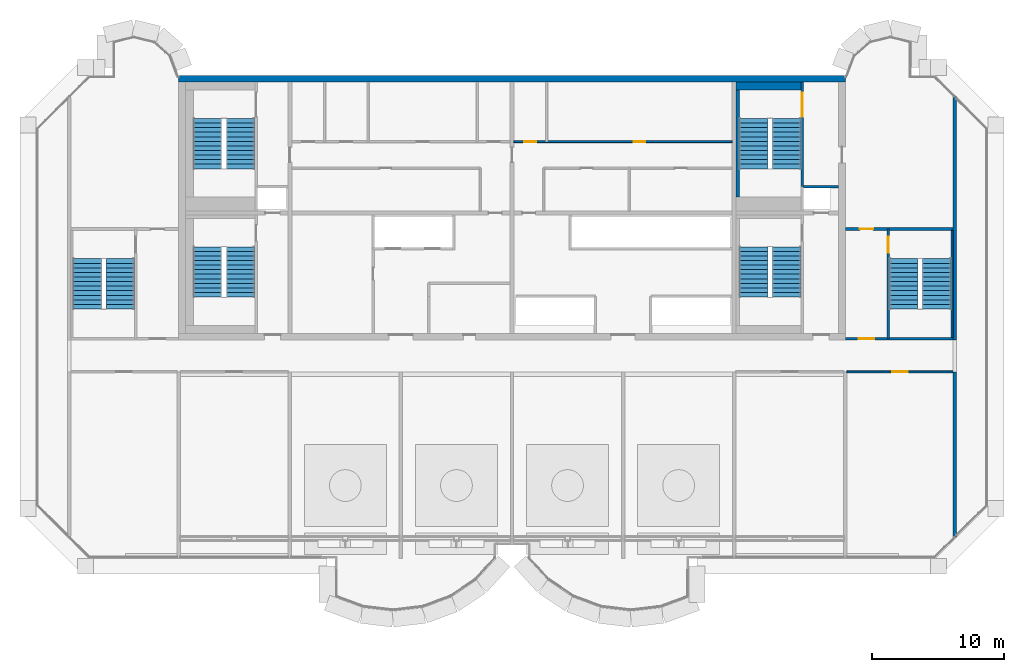
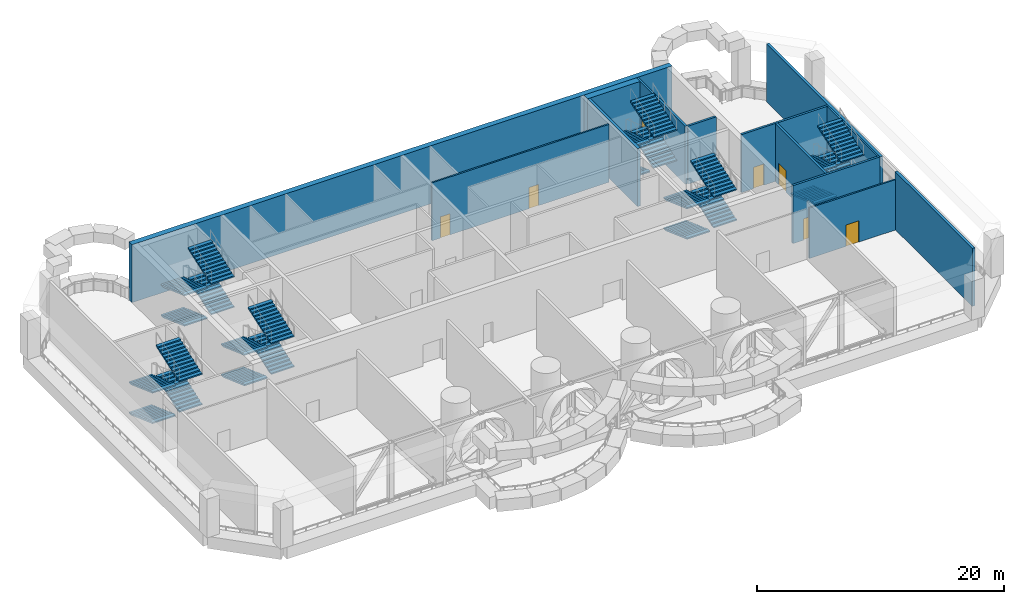
# One storey, part 5 of 15: 24 stair flights, 13 walls, 7 doors, 7 openings, 6 elements without a shape of their own.
"""IFC4 building model written with IfcOpenShell, lengths in metres."""

from ifc_helpers import new_model, si_unit, direction, frame, frame_2d, origin, place, context, subcontext, project, spatial, polyline, rectangle, outline, extrude, source, transform, mapped, material, layer, layer_set, type_object, element, fill, aggregate, save


model = new_model("IFC4")

# Units and contexts
model_context = context("Model", 3, precision=1e-05, world=origin(), true_north=direction((0.0, 1.0)))
body_context = subcontext(model_context, "Body", "Model", "MODEL_VIEW")
ifc_project = project(units=[si_unit("LENGTHUNIT", "METRE"), si_unit("AREAUNIT", "SQUARE_METRE"), si_unit("VOLUMEUNIT", "CUBIC_METRE"), si_unit("PLANEANGLEUNIT", "RADIAN"), si_unit("MASSUNIT", "GRAM", prefix="KILO")], contexts=[model_context])

# Site, building, storey
site_placement = place(None, origin())
site = spatial("IfcSite", under=ifc_project, at=site_placement, CompositionType="ELEMENT")
building_placement = place(site_placement, origin())
building = spatial("IfcBuilding", under=site, at=building_placement, Name="Vanashikhar Sky Hotel", CompositionType="ELEMENT")
storey_placement = place(building_placement, frame((0.0, 0.0, 317.699951171875)))
storey = spatial("IfcBuildingStorey", under=building, at=storey_placement, Name="L76", CompositionType="ELEMENT", Elevation=317.699951171875)

# Walls
ifc_material_1 = material(Name="Concrete M50", Category="concrete")
ifc_layer_1 = layer(ifc_material_1, 0.5)
ifc_layer_set_1 = layer_set([ifc_layer_1], Name="RC core shell wall 500 Concrete M50")
wall_type_1 = type_object("IfcWallType", Name="RC core shell wall 500 Concrete M50", PredefinedType="SHEAR", material=ifc_layer_set_1)
shared_shape_1 = source(origin(), body_context, "Body", "SweptSolid", [
    extrude(rectangle(XDim=50.400146484375, YDim=0.5, at=frame_2d((25.2001953125, 0.0))), origin(), (0.0, 0.0, 1.0), 5.719970703125),
])
wall_1_placement = place(storey_placement, frame((25.199951171875, 41.75, 0.0), z_axis=(0.0, 0.0, 1.0), x_axis=(1.0, 0.0, 0.0)))
element("IfcWall", 1, at=wall_1_placement, inside=storey, type_object=wall_type_1, Name="KW-L76-KN", PredefinedType="SHEAR", context=body_context, shape_type="MappedRepresentation", body=[
    mapped(shared_shape_1, transform((0.0, 0.0, 0.0), scale=1.0)),
])
ifc_layer_2 = layer(ifc_material_1, 0.25)
ifc_layer_set_2 = layer_set([ifc_layer_2], Name="RC shear wall 250 Concrete M50")
wall_type_2 = type_object("IfcWallType", Name="RC shear wall 250 Concrete M50", PredefinedType="SHEAR", material=ifc_layer_set_2)
shared_shape_2 = source(origin(), body_context, "Body", "SweptSolid", [
    extrude(rectangle(XDim=12.5, YDim=0.25, at=frame_2d((6.25, 0.0))), origin(), (0.0, 0.0, 1.0), 5.719970703125),
])
wall_2_placement = place(storey_placement, frame((83.875, 7.10009765625, 0.0), z_axis=(0.0, 0.0, 1.0), x_axis=(0.0, 1.0, 0.0)))
element("IfcWall", 2, at=wall_2_placement, inside=storey, type_object=wall_type_2, Name="CW-L76-XW11-1", PredefinedType="SHEAR", context=body_context, shape_type="MappedRepresentation", body=[
    mapped(shared_shape_2, transform((0.0, 0.0, 0.0), scale=1.0)),
])
shared_shape_3 = source(origin(), body_context, "Body", "SweptSolid", [
    extrude(rectangle(XDim=18.39990234375, YDim=0.25, at=frame_2d((9.199951171875, 0.0))), origin(), (0.0, 0.0, 1.0), 5.719970703125),
])
wall_3_placement = place(storey_placement, frame((83.875, 22.0, 0.0), z_axis=(0.0, 0.0, 1.0), x_axis=(0.0, 1.0, 0.0)))
element("IfcWall", 3, at=wall_3_placement, inside=storey, type_object=wall_type_2, Name="CW-L76-XW11-2", PredefinedType="SHEAR", context=body_context, shape_type="MappedRepresentation", body=[
    mapped(shared_shape_3, transform((0.0, 0.0, 0.0), scale=1.0)),
])

# Wall, opening, door
ifc_layer_3 = layer(ifc_material_1, 0.199951171875)
ifc_layer_set_3 = layer_set([ifc_layer_3], Name="Stair wall 200")
wall_type_3 = type_object("IfcWallType", Name="Stair wall 200", PredefinedType="SOLIDWALL", material=ifc_layer_set_3)
shared_shape_4 = source(origin(), body_context, "Body", "SweptSolid", [
    extrude(rectangle(XDim=8.2998046875, YDim=0.199951171875, at=frame_2d((4.14990234375, 0.0))), origin(), (0.0, 0.0, 1.0), 5.719970703125),
])
wall_4_placement = place(storey_placement, frame((78.85009765625, 22.10009765625, 0.0), z_axis=(0.0, 0.0, 1.0), x_axis=(0.0, 1.0, 0.0)))
wall_4 = element("IfcWall", 4, at=wall_4_placement, inside=storey, type_object=wall_type_3, Name="Stair wall 200", PredefinedType="SOLIDWALL", context=body_context, shape_type="MappedRepresentation", body=[
    mapped(shared_shape_4, transform((0.0, 0.0, 0.0), scale=1.0)),
])
shared_shape_5 = source(origin(), body_context, "Body", "SweptSolid", [
    extrude(rectangle(XDim=1.199951171875, YDim=2.10009765625, at=frame_2d((0.60009765625, 1.050048828125))), frame((0.0, 0.10986328125, 0.0), z_axis=(0.0, -1.0, 0.0), x_axis=(1.0, 0.0, 0.0)), (0.0, 0.0, 1.0), 0.219970703125),
])
opening_1_placement = place(wall_4_placement, frame((6.5, 0.0, 0.0)))
opening_1 = element("IfcOpeningElement", 5, at=opening_1_placement, cuts=wall_4, Name="Opening DC-1", PredefinedType="OPENING", context=body_context, shape_type="MappedRepresentation", body=[
    mapped(shared_shape_5, transform((0.0, 0.0, 0.0), scale=1.0)),
])
ifc_material_2 = material(Name="Steel", Category="steel")
door_type_1 = type_object("IfcDoorType", Name="Stair door 1200 FD120", OperationType="NOTDEFINED", PredefinedType="DOOR", material=ifc_material_2)
shared_shape_6 = source(origin(), body_context, "Body", "SweptSolid", [
    extrude(rectangle(XDim=1.199951171875, YDim=2.10009765625, at=frame_2d((0.60009765625, 1.050048828125))), frame((0.0, 0.02490234375, 0.0), z_axis=(0.0, -1.0, 0.0), x_axis=(1.0, 0.0, 0.0)), (0.0, 0.0, 1.0), 0.050048828125),
])
door_1_placement = place(opening_1_placement, origin())
door_1 = element("IfcDoor", 6, at=door_1_placement, inside=storey, type_object=door_type_1, Name="Stair door 1200 FD120", OperationType="SINGLE_SWING_RIGHT", OverallHeight=2.10009765625, OverallWidth=1.199951171875, PredefinedType="DOOR", context=body_context, shape_type="MappedRepresentation", body=[
    mapped(shared_shape_6, transform((0.0, 0.0, 0.0), scale=1.0)),
])
fill(opening_1, door_1)

# Wall, openings, doors
ifc_material_3 = material(Name="Gypsum board partition")
ifc_layer_4 = layer(ifc_material_3, 0.14990234375)
ifc_layer_set_4 = layer_set([ifc_layer_4], Name="Service partition 150")
wall_type_4 = type_object("IfcWallType", Name="Service partition 150", PredefinedType="PARTITIONING", material=ifc_layer_set_4)
shared_shape_7 = source(origin(), body_context, "Body", "SweptSolid", [
    extrude(rectangle(XDim=16.5, YDim=0.14990234375, at=frame_2d((8.25, 0.0))), origin(), (0.0, 0.0, 1.0), 5.719970703125),
])
wall_5_placement = place(storey_placement, frame((67.050048828125, 37.0, 0.0), z_axis=(0.0, 0.0, 1.0), x_axis=(-1.0, 0.0, 0.0)))
wall_5 = element("IfcWall", 7, at=wall_5_placement, inside=storey, type_object=wall_type_4, Name="Service partition 150", PredefinedType="PARTITIONING", context=body_context, shape_type="MappedRepresentation", body=[
    mapped(shared_shape_7, transform((0.0, 0.0, 0.0), scale=1.0)),
])
shared_shape_8 = source(origin(), body_context, "Body", "SweptSolid", [
    extrude(rectangle(XDim=0.89990234375, YDim=2.10009765625, at=frame_2d((0.449951171875, 1.050048828125))), frame((0.0, 0.0849609375, 0.0), z_axis=(0.0, -1.0, 0.0), x_axis=(1.0, 0.0, 0.0)), (0.0, 0.0, 1.0), 0.169921875),
])
opening_2_placement = place(wall_5_placement, frame((6.56298828125, 0.0, 0.0)))
opening_2 = element("IfcOpeningElement", 8, at=opening_2_placement, cuts=wall_5, Name="Opening DC-4-A", PredefinedType="OPENING", context=body_context, shape_type="MappedRepresentation", body=[
    mapped(shared_shape_8, transform((0.0, 0.0, 0.0), scale=1.0)),
])
opening_3_placement = place(wall_5_placement, frame((14.81298828125, 0.0, 0.0)))
opening_3 = element("IfcOpeningElement", 9, at=opening_3_placement, cuts=wall_5, Name="Opening DC-4-A", PredefinedType="OPENING", context=body_context, shape_type="MappedRepresentation", body=[
    mapped(shared_shape_8, transform((0.0, 0.0, 0.0), scale=1.0)),
])
door_type_2 = type_object("IfcDoorType", Name="Service door 900 FD60", OperationType="NOTDEFINED", PredefinedType="DOOR", material=ifc_material_2)
shared_shape_9 = source(origin(), body_context, "Body", "SweptSolid", [
    extrude(rectangle(XDim=0.89990234375, YDim=2.10009765625, at=frame_2d((0.449951171875, 1.050048828125))), frame((0.0, 0.02490234375, 0.0), z_axis=(0.0, -1.0, 0.0), x_axis=(1.0, 0.0, 0.0)), (0.0, 0.0, 1.0), 0.050048828125),
])
door_2_placement = place(opening_2_placement, origin())
door_2 = element("IfcDoor", 10, at=door_2_placement, inside=storey, type_object=door_type_2, Name="Service door 900 FD60", OperationType="SINGLE_SWING_RIGHT", OverallHeight=2.10009765625, OverallWidth=0.89990234375, PredefinedType="DOOR", context=body_context, shape_type="MappedRepresentation", body=[
    mapped(shared_shape_9, transform((0.0, 0.0, 0.0), scale=1.0)),
])
fill(opening_2, door_2)
door_3_placement = place(opening_3_placement, origin())
door_3 = element("IfcDoor", 11, at=door_3_placement, inside=storey, type_object=door_type_2, Name="Service door 900 FD60", OperationType="SINGLE_SWING_LEFT", OverallHeight=2.10009765625, OverallWidth=0.89990234375, PredefinedType="DOOR", context=body_context, shape_type="MappedRepresentation", body=[
    mapped(shared_shape_9, transform((0.0, 0.0, 0.0), scale=1.0)),
])
fill(opening_3, door_3)

# Wall, opening, door
shared_shape_10 = source(origin(), body_context, "Body", "SweptSolid", [
    extrude(rectangle(XDim=7.89990234375, YDim=0.199951171875, at=frame_2d((3.949951171875, 0.0))), origin(), (0.0, 0.0, 1.0), 5.719970703125),
])
wall_6_placement = place(storey_placement, frame((72.35009765625, 33.60009765625, 0.0), z_axis=(0.0, 0.0, 1.0), x_axis=(0.0, 1.0, 0.0)))
wall_6 = element("IfcWall", 12, at=wall_6_placement, inside=storey, type_object=wall_type_3, Name="Stair wall 200", PredefinedType="SOLIDWALL", context=body_context, shape_type="MappedRepresentation", body=[
    mapped(shared_shape_10, transform((0.0, 0.0, 0.0), scale=1.0)),
])
shared_shape_11 = source(origin(), body_context, "Body", "SweptSolid", [
    extrude(rectangle(XDim=1.800048828125, YDim=2.10009765625, at=frame_2d((0.89990234375, 1.050048828125))), frame((0.0, 0.10986328125, 0.0), z_axis=(0.0, -1.0, 0.0), x_axis=(1.0, 0.0, 0.0)), (0.0, 0.0, 1.0), 0.219970703125),
])
opening_4_placement = place(wall_6_placement, frame((5.300048828125, 0.0, 0.0)))
opening_4 = element("IfcOpeningElement", 13, at=opening_4_placement, cuts=wall_6, Name="Opening DC-1-A", PredefinedType="OPENING", context=body_context, shape_type="MappedRepresentation", body=[
    mapped(shared_shape_11, transform((0.0, 0.0, 0.0), scale=1.0)),
])
door_type_3 = type_object("IfcDoorType", Name="Stair door 1800 FD120", OperationType="NOTDEFINED", PredefinedType="DOOR", material=ifc_material_2)
shared_shape_12 = source(origin(), body_context, "Body", "SweptSolid", [
    extrude(rectangle(XDim=1.800048828125, YDim=2.10009765625, at=frame_2d((0.89990234375, 1.050048828125))), frame((0.0, 0.02490234375, 0.0), z_axis=(0.0, -1.0, 0.0), x_axis=(1.0, 0.0, 0.0)), (0.0, 0.0, 1.0), 0.050048828125),
])
door_4_placement = place(opening_4_placement, origin())
door_4 = element("IfcDoor", 14, at=door_4_placement, inside=storey, type_object=door_type_3, Name="Stair door 1800 FD120", OperationType="SINGLE_SWING_LEFT", OverallHeight=2.10009765625, OverallWidth=1.800048828125, PredefinedType="DOOR", context=body_context, shape_type="MappedRepresentation", body=[
    mapped(shared_shape_12, transform((0.0, 0.0, 0.0), scale=1.0)),
])
fill(opening_4, door_4)

# Wall
ifc_material_4 = material(Name="Concrete M40", Category="concrete")
ifc_layer_5 = layer(ifc_material_4, 0.199951171875)
ifc_layer_set_5 = layer_set([ifc_layer_5], Name="Shaft wall 200")
wall_type_5 = type_object("IfcWallType", Name="Shaft wall 200", PredefinedType="SOLIDWALL", material=ifc_layer_set_5)
shared_shape_13 = source(origin(), body_context, "Body", "SweptSolid", [
    extrude(rectangle(XDim=2.650146484375, YDim=0.199951171875, at=frame_2d((1.3251953125, 0.0))), origin(), (0.0, 0.0, 1.0), 5.719970703125),
])
wall_7_placement = place(storey_placement, frame((72.449951171875, 33.60009765625, 0.0), z_axis=(0.0, 0.0, 1.0), x_axis=(1.0, 0.0, 0.0)))
element("IfcWall", 15, at=wall_7_placement, inside=storey, type_object=wall_type_5, Name="Shaft wall 200", PredefinedType="SOLIDWALL", context=body_context, shape_type="MappedRepresentation", body=[
    mapped(shared_shape_13, transform((0.0, 0.0, 0.0), scale=1.0)),
])

# Wall, opening, door
shared_shape_14 = source(origin(), body_context, "Body", "SweptSolid", [
    extrude(rectangle(XDim=8.14990234375, YDim=0.199951171875, at=frame_2d((4.074951171875, 0.0))), origin(), (0.0, 0.0, 1.0), 5.719970703125),
])
wall_8_placement = place(storey_placement, frame((83.75, 22.10009765625, 0.0), z_axis=(0.0, 0.0, 1.0), x_axis=(-1.0, 0.0, 0.0)))
wall_8 = element("IfcWall", 16, at=wall_8_placement, inside=storey, type_object=wall_type_3, Name="Stair wall 200", PredefinedType="SOLIDWALL", context=body_context, shape_type="MappedRepresentation", body=[
    mapped(shared_shape_14, transform((0.0, 0.0, 0.0), scale=1.0)),
])
opening_5_placement = place(wall_8_placement, frame((5.949951171875, 0.0, 0.0)))
opening_5 = element("IfcOpeningElement", 17, at=opening_5_placement, cuts=wall_8, Name="Opening DC-2", PredefinedType="OPENING", context=body_context, shape_type="MappedRepresentation", body=[
    mapped(shared_shape_5, transform((0.0, 0.0, 0.0), scale=1.0)),
])
door_type_4 = type_object("IfcDoorType", Name="Firefighting lobby door 1200 FD120", OperationType="NOTDEFINED", PredefinedType="DOOR", material=ifc_material_2)
door_5_placement = place(opening_5_placement, origin())
door_5 = element("IfcDoor", 18, at=door_5_placement, inside=storey, type_object=door_type_4, Name="Firefighting lobby door 1200 FD120", OperationType="SINGLE_SWING_RIGHT", OverallHeight=2.10009765625, OverallWidth=1.199951171875, PredefinedType="DOOR", context=body_context, shape_type="MappedRepresentation", body=[
    mapped(shared_shape_6, transform((0.0, 0.0, 0.0), scale=1.0)),
])
fill(opening_5, door_5)

wall_9_placement = place(storey_placement, frame((83.75, 30.39990234375, 0.0), z_axis=(0.0, 0.0, 1.0), x_axis=(-1.0, 0.0, 0.0)))
wall_9 = element("IfcWall", 19, at=wall_9_placement, inside=storey, type_object=wall_type_3, Name="Stair wall 200", PredefinedType="SOLIDWALL", context=body_context, shape_type="MappedRepresentation", body=[
    mapped(shared_shape_14, transform((0.0, 0.0, 0.0), scale=1.0)),
])
shared_shape_15 = source(origin(), body_context, "Body", "SweptSolid", [
    extrude(rectangle(XDim=1.0, YDim=2.10009765625, at=frame_2d((0.5, 1.050048828125))), frame((0.0, 0.10986328125, 0.0), z_axis=(0.0, -1.0, 0.0), x_axis=(1.0, 0.0, 0.0)), (0.0, 0.0, 1.0), 0.219970703125),
])
opening_6_placement = place(wall_9_placement, frame((6.050048828125, 0.0, 0.0)))
opening_6 = element("IfcOpeningElement", 20, at=opening_6_placement, cuts=wall_9, Name="Opening DC-6", PredefinedType="OPENING", context=body_context, shape_type="MappedRepresentation", body=[
    mapped(shared_shape_15, transform((0.0, 0.0, 0.0), scale=1.0)),
])
door_type_5 = type_object("IfcDoorType", Name="Pocket door 1000 FD60", OperationType="NOTDEFINED", PredefinedType="DOOR", material=ifc_material_2)
shared_shape_16 = source(origin(), body_context, "Body", "SweptSolid", [
    extrude(rectangle(XDim=1.0, YDim=2.10009765625, at=frame_2d((0.5, 1.050048828125))), frame((0.0, 0.02490234375, 0.0), z_axis=(0.0, -1.0, 0.0), x_axis=(1.0, 0.0, 0.0)), (0.0, 0.0, 1.0), 0.050048828125),
])
door_6_placement = place(opening_6_placement, origin())
door_6 = element("IfcDoor", 21, at=door_6_placement, inside=storey, type_object=door_type_5, Name="Pocket door 1000 FD60", OperationType="SINGLE_SWING_RIGHT", OverallHeight=2.10009765625, OverallWidth=1.0, PredefinedType="DOOR", context=body_context, shape_type="MappedRepresentation", body=[
    mapped(shared_shape_16, transform((0.0, 0.0, 0.0), scale=1.0)),
])
fill(opening_6, door_6)

# Walls
ifc_layer_6 = layer(ifc_material_1, 0.60009765625)
ifc_layer_set_6 = layer_set([ifc_layer_6], Name="Stair infill wall 600")
wall_type_6 = type_object("IfcWallType", Name="Stair infill wall 600", PredefinedType="SOLIDWALL", material=ifc_layer_set_6)
shared_shape_17 = source(origin(), body_context, "Body", "SweptSolid", [
    extrude(rectangle(XDim=4.89990234375, YDim=0.60009765625, at=frame_2d((2.449951171875, 0.0))), origin(), (0.0, 0.0, 1.0), 5.719970703125),
])
wall_10_placement = place(storey_placement, frame((67.35009765625, 41.199951171875, 0.0), z_axis=(0.0, 0.0, 1.0), x_axis=(1.0, 0.0, 0.0)))
element("IfcWall", 22, at=wall_10_placement, inside=storey, type_object=wall_type_6, Name="Stair infill wall 600", PredefinedType="SOLIDWALL", context=body_context, shape_type="MappedRepresentation", body=[
    mapped(shared_shape_17, transform((0.0, 0.0, 0.0), scale=1.0)),
])
ifc_layer_7 = layer(ifc_material_1, 0.25)
ifc_layer_set_7 = layer_set([ifc_layer_7], Name="Stair infill wall 250")
wall_type_7 = type_object("IfcWallType", Name="Stair infill wall 250", PredefinedType="SOLIDWALL", material=ifc_layer_set_7)
shared_shape_18 = source(origin(), body_context, "Body", "SweptSolid", [
    extrude(rectangle(XDim=8.099853515625, YDim=0.25, at=frame_2d((4.0498046875, 0.0))), origin(), (0.0, 0.0, 1.0), 5.719970703125),
])
wall_11_placement = place(storey_placement, frame((67.47509765625, 32.800048828125, 0.0), z_axis=(0.0, 0.0, 1.0), x_axis=(0.0, 1.0, 0.0)))
element("IfcWall", 23, at=wall_11_placement, inside=storey, type_object=wall_type_7, Name="Stair infill wall 250", PredefinedType="SOLIDWALL", context=body_context, shape_type="MappedRepresentation", body=[
    mapped(shared_shape_18, transform((0.0, 0.0, 0.0), scale=1.0)),
])
ifc_layer_8 = layer(ifc_material_1, 0.14990234375)
ifc_layer_set_8 = layer_set([ifc_layer_8], Name="Stair infill wall 150")
wall_type_8 = type_object("IfcWallType", Name="Stair infill wall 150", PredefinedType="SOLIDWALL", material=ifc_layer_set_8)
shared_shape_19 = source(origin(), body_context, "Body", "SweptSolid", [
    extrude(rectangle(XDim=8.10009765625, YDim=0.14990234375, at=frame_2d((4.050048828125, 0.0))), origin(), (0.0, 0.0, 1.0), 5.719970703125),
])
wall_12_placement = place(storey_placement, frame((83.675048828125, 22.199951171875, 0.0), z_axis=(0.0, 0.0, 1.0), x_axis=(0.0, 1.0, 0.0)))
element("IfcWall", 24, at=wall_12_placement, inside=storey, type_object=wall_type_8, Name="Stair infill wall 150", PredefinedType="SOLIDWALL", context=body_context, shape_type="MappedRepresentation", body=[
    mapped(shared_shape_19, transform((0.0, 0.0, 0.0), scale=1.0)),
])

# Wall, opening, door
shared_shape_20 = source(origin(), body_context, "Body", "SweptSolid", [
    extrude(rectangle(XDim=8.02490234375, YDim=0.14990234375, at=frame_2d((4.012451171875, 0.0))), origin(), (0.0, 0.0, 1.0), 4.969970703125),
])
wall_13_placement = place(storey_placement, frame((75.72509765625, 19.60009765625, 0.0), z_axis=(0.0, 0.0, 1.0), x_axis=(1.0, 0.0, 0.0)))
wall_13 = element("IfcWall", 25, at=wall_13_placement, inside=storey, type_object=wall_type_4, Name="Service partition 150", PredefinedType="PARTITIONING", context=body_context, shape_type="MappedRepresentation", body=[
    mapped(shared_shape_20, transform((0.0, 0.0, 0.0), scale=1.0)),
])
shared_shape_21 = source(origin(), body_context, "Body", "SweptSolid", [
    extrude(rectangle(XDim=1.199951171875, YDim=2.10009765625, at=frame_2d((0.60009765625, 1.050048828125))), frame((0.0, 0.0849609375, 0.0), z_axis=(0.0, -1.0, 0.0), x_axis=(1.0, 0.0, 0.0)), (0.0, 0.0, 1.0), 0.169921875),
])
opening_7_placement = place(wall_13_placement, frame((3.412109375, 0.0, 0.0)))
opening_7 = element("IfcOpeningElement", 26, at=opening_7_placement, cuts=wall_13, Name="Opening DC-4-D", PredefinedType="OPENING", context=body_context, shape_type="MappedRepresentation", body=[
    mapped(shared_shape_21, transform((0.0, 0.0, 0.0), scale=1.0)),
])
door_type_6 = type_object("IfcDoorType", Name="Service door 1200 FD120", OperationType="NOTDEFINED", PredefinedType="DOOR", material=ifc_material_2)
door_7_placement = place(opening_7_placement, origin())
door_7 = element("IfcDoor", 27, at=door_7_placement, inside=storey, type_object=door_type_6, Name="Service door 1200 FD120", OperationType="SINGLE_SWING_LEFT", OverallHeight=2.10009765625, OverallWidth=1.199951171875, PredefinedType="DOOR", context=body_context, shape_type="MappedRepresentation", body=[
    mapped(shared_shape_6, transform((0.0, 0.0, 0.0), scale=1.0)),
])
fill(opening_7, door_7)

# Stair, stair flights
stair_type = type_object("IfcStairType", Name="Exit stair 2150", PredefinedType="DOUBLE_RETURN_STAIR", material=ifc_material_4)
stair_1_placement = place(storey_placement, origin())
stair_1 = element("IfcStair", 28, at=stair_1_placement, inside=storey, type_object=stair_type, Name="L76 Exit stair 1", PredefinedType="DOUBLE_RETURN_STAIR")
stair_flight_type = type_object("IfcStairFlightType", Name="Stair flight 2150", PredefinedType="STRAIGHT", material=ifc_material_4)
shared_shape_22 = source(origin(), body_context, "Body", "SweptSolid", [
    extrude(outline(polyline([(0.0, 0.0), (0.0, 0.125), (0.345458984375, 0.125), (0.345458984375, 0.25), (0.69091796875, 0.25), (0.69091796875, 0.375), (1.036376953125, 0.375), (1.036376953125, 0.5), (1.3818359375, 0.5), (1.3818359375, 0.625), (1.727294921875, 0.625), (1.727294921875, 0.75), (2.07275390625, 0.75), (2.07275390625, 0.875), (2.418212890625, 0.875), (2.418212890625, 1.0), (2.763671875, 1.0), (2.763671875, 1.125), (3.109130859375, 1.125), (3.109130859375, 1.25), (3.45458984375, 1.25), (3.45458984375, 1.375), (3.800048828125, 1.375), (3.800048828125, 1.5), (3.800048828125, 1.247314453125), (0.35302734375, 0.0), (0.0, 0.0)])), frame((0.0, 1.074951171875, 0.0), z_axis=(0.0, -1.0, 0.0), x_axis=(1.0, 0.0, 0.0)), (0.0, 0.0, 1.0), 2.14990234375),
])
stair_flight_1_placement = place(storey_placement, frame((27.375, 29.050048828125, 0.0), z_axis=(0.0, 0.0, 1.0), x_axis=(0.0, -1.0, 0.0)))
stair_flight_1 = element("IfcStairFlight", 29, at=stair_flight_1_placement, type_object=stair_flight_type, Name="ST-C1 flight 1", NumberOfRisers=12, NumberOfTreads=11, PredefinedType="STRAIGHT", RiserHeight=0.125, TreadLength=0.345454545, context=body_context, shape_type="MappedRepresentation", body=[
    mapped(shared_shape_22, transform((0.0, 0.0, 0.0), scale=1.0)),
])
stair_flight_2_placement = place(storey_placement, frame((29.875, 25.25, 1.5), z_axis=(0.0, 0.0, 1.0), x_axis=(0.0, 1.0, 0.0)))
stair_flight_2 = element("IfcStairFlight", 30, at=stair_flight_2_placement, type_object=stair_flight_type, Name="ST-C1 flight 2", NumberOfRisers=12, NumberOfTreads=11, PredefinedType="STRAIGHT", RiserHeight=0.125, TreadLength=0.345454545, context=body_context, shape_type="MappedRepresentation", body=[
    mapped(shared_shape_22, transform((0.0, 0.0, 0.0), scale=1.0)),
])
stair_flight_3_placement = place(storey_placement, frame((27.375, 29.050048828125, 3.0), z_axis=(0.0, 0.0, 1.0), x_axis=(0.0, -1.0, 0.0)))
stair_flight_3 = element("IfcStairFlight", 31, at=stair_flight_3_placement, type_object=stair_flight_type, Name="ST-C1 flight 3", NumberOfRisers=12, NumberOfTreads=11, PredefinedType="STRAIGHT", RiserHeight=0.125, TreadLength=0.345454545, context=body_context, shape_type="MappedRepresentation", body=[
    mapped(shared_shape_22, transform((0.0, 0.0, 0.0), scale=1.0)),
])
stair_flight_4_placement = place(storey_placement, frame((29.875, 25.25, 4.5), z_axis=(0.0, 0.0, 1.0), x_axis=(0.0, 1.0, 0.0)))
stair_flight_4 = element("IfcStairFlight", 32, at=stair_flight_4_placement, type_object=stair_flight_type, Name="ST-C1 flight 4", NumberOfRisers=12, NumberOfTreads=11, PredefinedType="STRAIGHT", RiserHeight=0.125, TreadLength=0.345454545, context=body_context, shape_type="MappedRepresentation", body=[
    mapped(shared_shape_22, transform((0.0, 0.0, 0.0), scale=1.0)),
])
aggregate(stair_1, [stair_flight_1, stair_flight_2, stair_flight_3, stair_flight_4])

stair_2_placement = place(storey_placement, origin())
stair_2 = element("IfcStair", 33, at=stair_2_placement, inside=storey, type_object=stair_type, Name="L76 Exit stair 2", PredefinedType="DOUBLE_RETURN_STAIR")
stair_flight_5_placement = place(storey_placement, frame((68.675048828125, 29.050048828125, 0.0), z_axis=(0.0, 0.0, 1.0), x_axis=(0.0, -1.0, 0.0)))
stair_flight_5 = element("IfcStairFlight", 34, at=stair_flight_5_placement, type_object=stair_flight_type, Name="ST-C2 flight 1", NumberOfRisers=12, NumberOfTreads=11, PredefinedType="STRAIGHT", RiserHeight=0.125, TreadLength=0.345454545, context=body_context, shape_type="MappedRepresentation", body=[
    mapped(shared_shape_22, transform((0.0, 0.0, 0.0), scale=1.0)),
])
stair_flight_6_placement = place(storey_placement, frame((71.175048828125, 25.25, 1.5), z_axis=(0.0, 0.0, 1.0), x_axis=(0.0, 1.0, 0.0)))
stair_flight_6 = element("IfcStairFlight", 35, at=stair_flight_6_placement, type_object=stair_flight_type, Name="ST-C2 flight 2", NumberOfRisers=12, NumberOfTreads=11, PredefinedType="STRAIGHT", RiserHeight=0.125, TreadLength=0.345454545, context=body_context, shape_type="MappedRepresentation", body=[
    mapped(shared_shape_22, transform((0.0, 0.0, 0.0), scale=1.0)),
])
stair_flight_7_placement = place(storey_placement, frame((68.675048828125, 29.050048828125, 3.0), z_axis=(0.0, 0.0, 1.0), x_axis=(0.0, -1.0, 0.0)))
stair_flight_7 = element("IfcStairFlight", 36, at=stair_flight_7_placement, type_object=stair_flight_type, Name="ST-C2 flight 3", NumberOfRisers=12, NumberOfTreads=11, PredefinedType="STRAIGHT", RiserHeight=0.125, TreadLength=0.345454545, context=body_context, shape_type="MappedRepresentation", body=[
    mapped(shared_shape_22, transform((0.0, 0.0, 0.0), scale=1.0)),
])
stair_flight_8_placement = place(storey_placement, frame((71.175048828125, 25.25, 4.5), z_axis=(0.0, 0.0, 1.0), x_axis=(0.0, 1.0, 0.0)))
stair_flight_8 = element("IfcStairFlight", 37, at=stair_flight_8_placement, type_object=stair_flight_type, Name="ST-C2 flight 4", NumberOfRisers=12, NumberOfTreads=11, PredefinedType="STRAIGHT", RiserHeight=0.125, TreadLength=0.345454545, context=body_context, shape_type="MappedRepresentation", body=[
    mapped(shared_shape_22, transform((0.0, 0.0, 0.0), scale=1.0)),
])
aggregate(stair_2, [stair_flight_5, stair_flight_6, stair_flight_7, stair_flight_8])

stair_3_placement = place(storey_placement, origin())
stair_3 = element("IfcStair", 38, at=stair_3_placement, inside=storey, type_object=stair_type, Name="L76 Exit stair 3", PredefinedType="DOUBLE_RETURN_STAIR")
stair_flight_9_placement = place(storey_placement, frame((18.27490234375, 28.14990234375, 0.0), z_axis=(0.0, 0.0, 1.0), x_axis=(0.0, -1.0, 0.0)))
stair_flight_9 = element("IfcStairFlight", 39, at=stair_flight_9_placement, type_object=stair_flight_type, Name="ST-W flight 1", NumberOfRisers=12, NumberOfTreads=11, PredefinedType="STRAIGHT", RiserHeight=0.125, TreadLength=0.345454545, context=body_context, shape_type="MappedRepresentation", body=[
    mapped(shared_shape_22, transform((0.0, 0.0, 0.0), scale=1.0)),
])
stair_flight_10_placement = place(storey_placement, frame((20.77490234375, 24.35009765625, 1.5), z_axis=(0.0, 0.0, 1.0), x_axis=(0.0, 1.0, 0.0)))
stair_flight_10 = element("IfcStairFlight", 40, at=stair_flight_10_placement, type_object=stair_flight_type, Name="ST-W flight 2", NumberOfRisers=12, NumberOfTreads=11, PredefinedType="STRAIGHT", RiserHeight=0.125, TreadLength=0.345454545, context=body_context, shape_type="MappedRepresentation", body=[
    mapped(shared_shape_22, transform((0.0, 0.0, 0.0), scale=1.0)),
])
stair_flight_11_placement = place(storey_placement, frame((18.27490234375, 28.14990234375, 3.0), z_axis=(0.0, 0.0, 1.0), x_axis=(0.0, -1.0, 0.0)))
stair_flight_11 = element("IfcStairFlight", 41, at=stair_flight_11_placement, type_object=stair_flight_type, Name="ST-W flight 3", NumberOfRisers=12, NumberOfTreads=11, PredefinedType="STRAIGHT", RiserHeight=0.125, TreadLength=0.345454545, context=body_context, shape_type="MappedRepresentation", body=[
    mapped(shared_shape_22, transform((0.0, 0.0, 0.0), scale=1.0)),
])
stair_flight_12_placement = place(storey_placement, frame((20.77490234375, 24.35009765625, 4.5), z_axis=(0.0, 0.0, 1.0), x_axis=(0.0, 1.0, 0.0)))
stair_flight_12 = element("IfcStairFlight", 42, at=stair_flight_12_placement, type_object=stair_flight_type, Name="ST-W flight 4", NumberOfRisers=12, NumberOfTreads=11, PredefinedType="STRAIGHT", RiserHeight=0.125, TreadLength=0.345454545, context=body_context, shape_type="MappedRepresentation", body=[
    mapped(shared_shape_22, transform((0.0, 0.0, 0.0), scale=1.0)),
])
aggregate(stair_3, [stair_flight_9, stair_flight_10, stair_flight_11, stair_flight_12])

stair_4_placement = place(storey_placement, origin())
stair_4 = element("IfcStair", 43, at=stair_4_placement, inside=storey, type_object=stair_type, Name="L76 Exit stair 4", PredefinedType="DOUBLE_RETURN_STAIR")
stair_flight_13_placement = place(storey_placement, frame((80.02490234375, 28.14990234375, 0.0), z_axis=(0.0, 0.0, 1.0), x_axis=(0.0, -1.0, 0.0)))
stair_flight_13 = element("IfcStairFlight", 44, at=stair_flight_13_placement, type_object=stair_flight_type, Name="ST-E flight 1", NumberOfRisers=12, NumberOfTreads=11, PredefinedType="STRAIGHT", RiserHeight=0.125, TreadLength=0.345454545, context=body_context, shape_type="MappedRepresentation", body=[
    mapped(shared_shape_22, transform((0.0, 0.0, 0.0), scale=1.0)),
])
stair_flight_14_placement = place(storey_placement, frame((82.52490234375, 24.35009765625, 1.5), z_axis=(0.0, 0.0, 1.0), x_axis=(0.0, 1.0, 0.0)))
stair_flight_14 = element("IfcStairFlight", 45, at=stair_flight_14_placement, type_object=stair_flight_type, Name="ST-E flight 2", NumberOfRisers=12, NumberOfTreads=11, PredefinedType="STRAIGHT", RiserHeight=0.125, TreadLength=0.345454545, context=body_context, shape_type="MappedRepresentation", body=[
    mapped(shared_shape_22, transform((0.0, 0.0, 0.0), scale=1.0)),
])
stair_flight_15_placement = place(storey_placement, frame((80.02490234375, 28.14990234375, 3.0), z_axis=(0.0, 0.0, 1.0), x_axis=(0.0, -1.0, 0.0)))
stair_flight_15 = element("IfcStairFlight", 46, at=stair_flight_15_placement, type_object=stair_flight_type, Name="ST-E flight 3", NumberOfRisers=12, NumberOfTreads=11, PredefinedType="STRAIGHT", RiserHeight=0.125, TreadLength=0.345454545, context=body_context, shape_type="MappedRepresentation", body=[
    mapped(shared_shape_22, transform((0.0, 0.0, 0.0), scale=1.0)),
])
stair_flight_16_placement = place(storey_placement, frame((82.52490234375, 24.35009765625, 4.5), z_axis=(0.0, 0.0, 1.0), x_axis=(0.0, 1.0, 0.0)))
stair_flight_16 = element("IfcStairFlight", 47, at=stair_flight_16_placement, type_object=stair_flight_type, Name="ST-E flight 4", NumberOfRisers=12, NumberOfTreads=11, PredefinedType="STRAIGHT", RiserHeight=0.125, TreadLength=0.345454545, context=body_context, shape_type="MappedRepresentation", body=[
    mapped(shared_shape_22, transform((0.0, 0.0, 0.0), scale=1.0)),
])
aggregate(stair_4, [stair_flight_13, stair_flight_14, stair_flight_15, stair_flight_16])

stair_5_placement = place(storey_placement, origin())
stair_5 = element("IfcStair", 48, at=stair_5_placement, inside=storey, type_object=stair_type, Name="L76 Exit stair 5", PredefinedType="DOUBLE_RETURN_STAIR")
stair_flight_17_placement = place(storey_placement, frame((27.375, 38.75, 0.0), z_axis=(0.0, 0.0, 1.0), x_axis=(0.0, -1.0, 0.0)))
stair_flight_17 = element("IfcStairFlight", 49, at=stair_flight_17_placement, type_object=stair_flight_type, Name="ST-C3 flight 1", NumberOfRisers=12, NumberOfTreads=11, PredefinedType="STRAIGHT", RiserHeight=0.125, TreadLength=0.345454545, context=body_context, shape_type="MappedRepresentation", body=[
    mapped(shared_shape_22, transform((0.0, 0.0, 0.0), scale=1.0)),
])
stair_flight_18_placement = place(storey_placement, frame((29.875, 34.949951171875, 1.5), z_axis=(0.0, 0.0, 1.0), x_axis=(0.0, 1.0, 0.0)))
stair_flight_18 = element("IfcStairFlight", 50, at=stair_flight_18_placement, type_object=stair_flight_type, Name="ST-C3 flight 2", NumberOfRisers=12, NumberOfTreads=11, PredefinedType="STRAIGHT", RiserHeight=0.125, TreadLength=0.345454545, context=body_context, shape_type="MappedRepresentation", body=[
    mapped(shared_shape_22, transform((0.0, 0.0, 0.0), scale=1.0)),
])
stair_flight_19_placement = place(storey_placement, frame((27.375, 38.75, 3.0), z_axis=(0.0, 0.0, 1.0), x_axis=(0.0, -1.0, 0.0)))
stair_flight_19 = element("IfcStairFlight", 51, at=stair_flight_19_placement, type_object=stair_flight_type, Name="ST-C3 flight 3", NumberOfRisers=12, NumberOfTreads=11, PredefinedType="STRAIGHT", RiserHeight=0.125, TreadLength=0.345454545, context=body_context, shape_type="MappedRepresentation", body=[
    mapped(shared_shape_22, transform((0.0, 0.0, 0.0), scale=1.0)),
])
stair_flight_20_placement = place(storey_placement, frame((29.875, 34.949951171875, 4.5), z_axis=(0.0, 0.0, 1.0), x_axis=(0.0, 1.0, 0.0)))
stair_flight_20 = element("IfcStairFlight", 52, at=stair_flight_20_placement, type_object=stair_flight_type, Name="ST-C3 flight 4", NumberOfRisers=12, NumberOfTreads=11, PredefinedType="STRAIGHT", RiserHeight=0.125, TreadLength=0.345454545, context=body_context, shape_type="MappedRepresentation", body=[
    mapped(shared_shape_22, transform((0.0, 0.0, 0.0), scale=1.0)),
])
aggregate(stair_5, [stair_flight_17, stair_flight_18, stair_flight_19, stair_flight_20])

stair_6_placement = place(storey_placement, origin())
stair_6 = element("IfcStair", 53, at=stair_6_placement, inside=storey, type_object=stair_type, Name="L76 Exit stair 6", PredefinedType="DOUBLE_RETURN_STAIR")
stair_flight_21_placement = place(storey_placement, frame((68.675048828125, 38.75, 0.0), z_axis=(0.0, 0.0, 1.0), x_axis=(0.0, -1.0, 0.0)))
stair_flight_21 = element("IfcStairFlight", 54, at=stair_flight_21_placement, type_object=stair_flight_type, Name="ST-C4 flight 1", NumberOfRisers=12, NumberOfTreads=11, PredefinedType="STRAIGHT", RiserHeight=0.125, TreadLength=0.345454545, context=body_context, shape_type="MappedRepresentation", body=[
    mapped(shared_shape_22, transform((0.0, 0.0, 0.0), scale=1.0)),
])
stair_flight_22_placement = place(storey_placement, frame((71.175048828125, 34.949951171875, 1.5), z_axis=(0.0, 0.0, 1.0), x_axis=(0.0, 1.0, 0.0)))
stair_flight_22 = element("IfcStairFlight", 55, at=stair_flight_22_placement, type_object=stair_flight_type, Name="ST-C4 flight 2", NumberOfRisers=12, NumberOfTreads=11, PredefinedType="STRAIGHT", RiserHeight=0.125, TreadLength=0.345454545, context=body_context, shape_type="MappedRepresentation", body=[
    mapped(shared_shape_22, transform((0.0, 0.0, 0.0), scale=1.0)),
])
stair_flight_23_placement = place(storey_placement, frame((68.675048828125, 38.75, 3.0), z_axis=(0.0, 0.0, 1.0), x_axis=(0.0, -1.0, 0.0)))
stair_flight_23 = element("IfcStairFlight", 56, at=stair_flight_23_placement, type_object=stair_flight_type, Name="ST-C4 flight 3", NumberOfRisers=12, NumberOfTreads=11, PredefinedType="STRAIGHT", RiserHeight=0.125, TreadLength=0.345454545, context=body_context, shape_type="MappedRepresentation", body=[
    mapped(shared_shape_22, transform((0.0, 0.0, 0.0), scale=1.0)),
])
stair_flight_24_placement = place(storey_placement, frame((71.175048828125, 34.949951171875, 4.5), z_axis=(0.0, 0.0, 1.0), x_axis=(0.0, 1.0, 0.0)))
stair_flight_24 = element("IfcStairFlight", 57, at=stair_flight_24_placement, type_object=stair_flight_type, Name="ST-C4 flight 4", NumberOfRisers=12, NumberOfTreads=11, PredefinedType="STRAIGHT", RiserHeight=0.125, TreadLength=0.345454545, context=body_context, shape_type="MappedRepresentation", body=[
    mapped(shared_shape_22, transform((0.0, 0.0, 0.0), scale=1.0)),
])
aggregate(stair_6, [stair_flight_21, stair_flight_22, stair_flight_23, stair_flight_24])

save(model, "model.ifc")
